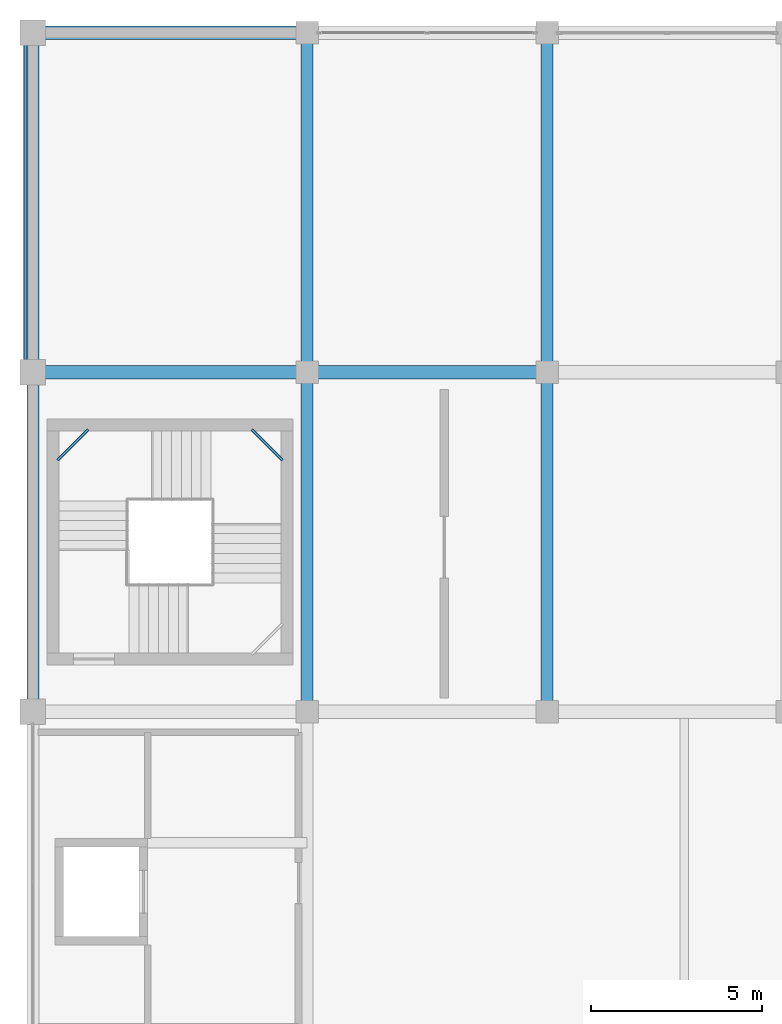
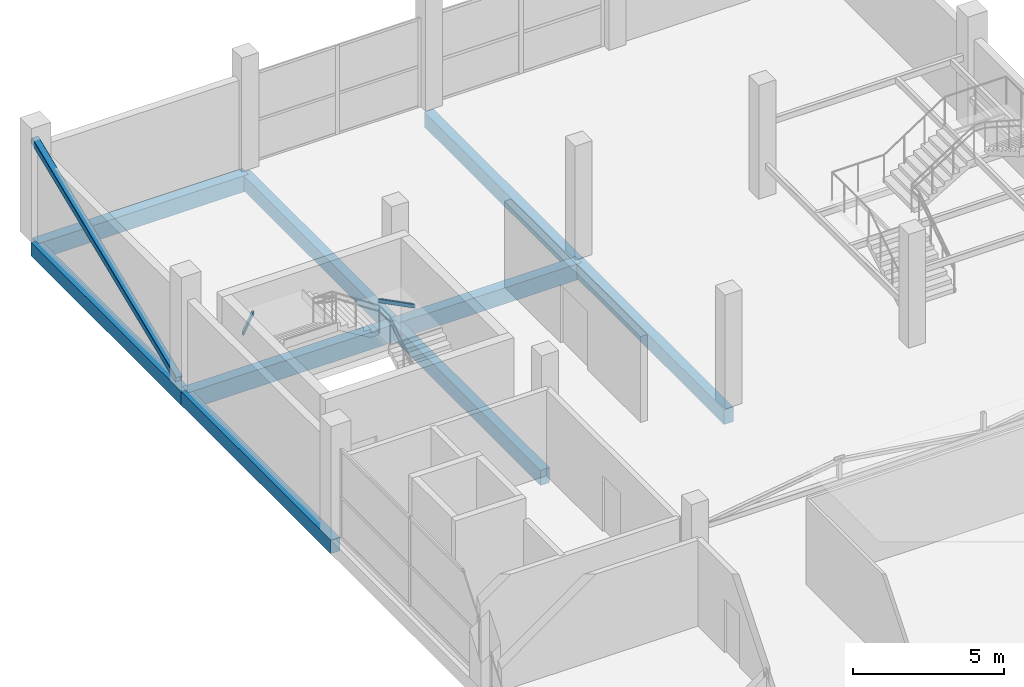
# One storey, part 43 of 69: 11 beams, 1 member.
"""IFC4 building model written with IfcOpenShell, lengths in metres."""

from ifc_helpers import new_model, si_unit, direction, frame, origin, origin_2d, place, context, subcontext, project, spatial, rectangle, hollow_rectangle, extrude, material, material_profile, profile_set, type_object, element, save


model = new_model("IFC4")

# Units and contexts
model_context = context("Model", 3, precision=1e-05, world=origin(), true_north=direction((0.0, 1.0)))
body_context = subcontext(model_context, "Body", "Model", "MODEL_VIEW")
ifc_project = project(units=[si_unit("LENGTHUNIT", "METRE"), si_unit("AREAUNIT", "SQUARE_METRE"), si_unit("VOLUMEUNIT", "CUBIC_METRE"), si_unit("PLANEANGLEUNIT", "RADIAN"), si_unit("MASSUNIT", "GRAM", prefix="KILO")], contexts=[model_context])

# Site, building, storey
site_placement = place(None, origin())
site = spatial("IfcSite", under=ifc_project, at=site_placement, CompositionType="ELEMENT")
building_placement = place(site_placement, origin())
building = spatial("IfcBuilding", under=site, at=building_placement, Name="Sillaruma Civic Art Gallery", CompositionType="ELEMENT")
storey_placement = place(building_placement, frame((0.0, 0.0, 42.330078125)))
storey = spatial("IfcBuildingStorey", under=building, at=storey_placement, Name="L08", CompositionType="ELEMENT", Elevation=42.330078125)

# Beams
ifc_material_1 = material(Name="Concrete H35 (35 MPa)", Category="concrete")
ifc_material_profile_1 = material_profile(ifc_material_1, rectangle(XDim=0.35009765625, YDim=0.60009765625, at=origin_2d()), Name="RCB350x600")
ifc_profile_set_1 = profile_set([ifc_material_profile_1], Name="Concrete H35 (35 MPa)")
beam_type_1 = type_object("IfcBeamType", Name="BM-BEAM-RCB350x600", PredefinedType="BEAM", material=ifc_profile_set_1)
beam_1_placement = place(storey_placement, frame((70.0, 79.199951171875, -0.580078125), z_axis=(0.0, 1.0, 0.0), x_axis=(-1.0, 0.0, 0.0)))
element("IfcBeam", 1, at=beam_1_placement, inside=storey, type_object=beam_type_1, Name="Beam BM-06 (L07:G:9-10)", PredefinedType="BEAM", context=body_context, shape_type="SweptSolid", body=[
    extrude(rectangle(XDim=0.35009765625, YDim=0.60009765625, at=origin_2d()), origin(), (0.0, 0.0, 1.0), 9.900146484375),
])
beam_2_placement = place(storey_placement, frame((70.0, 89.10009765625, -0.580078125), z_axis=(0.0, 1.0, 0.0), x_axis=(-1.0, 0.0, 0.0)))
element("IfcBeam", 2, at=beam_2_placement, inside=storey, type_object=beam_type_1, Name="Beam BM-06 (L07:G:10-11)", PredefinedType="BEAM", context=body_context, shape_type="SweptSolid", body=[
    extrude(rectangle(XDim=0.35009765625, YDim=0.60009765625, at=origin_2d()), origin(), (0.0, 0.0, 1.0), 9.89990234375),
])
beam_3_placement = place(storey_placement, frame((77.0, 79.199951171875, -0.580078125), z_axis=(0.0, 1.0, 0.0), x_axis=(-1.0, 0.0, 0.0)))
element("IfcBeam", 3, at=beam_3_placement, inside=storey, type_object=beam_type_1, Name="Beam BM-06 (L07:H:9-10)", PredefinedType="BEAM", context=body_context, shape_type="SweptSolid", body=[
    extrude(rectangle(XDim=0.35009765625, YDim=0.60009765625, at=origin_2d()), origin(), (0.0, 0.0, 1.0), 9.900146484375),
])
beam_4_placement = place(storey_placement, frame((77.0, 89.10009765625, -0.580078125), z_axis=(0.0, 1.0, 0.0), x_axis=(-1.0, 0.0, 0.0)))
element("IfcBeam", 4, at=beam_4_placement, inside=storey, type_object=beam_type_1, Name="Beam BM-06 (L07:H:10-11)", PredefinedType="BEAM", context=body_context, shape_type="SweptSolid", body=[
    extrude(rectangle(XDim=0.35009765625, YDim=0.60009765625, at=origin_2d()), origin(), (0.0, 0.0, 1.0), 9.89990234375),
])
ifc_material_profile_2 = material_profile(ifc_material_1, rectangle(XDim=0.39990234375, YDim=0.64990234375, at=origin_2d()), Name="RCB400x650")
ifc_profile_set_2 = profile_set([ifc_material_profile_2], Name="Concrete H35 (35 MPa)")
beam_type_2 = type_object("IfcBeamType", Name="BM-BEAM-RCB400x650", PredefinedType="BEAM", material=ifc_profile_set_2)
beam_5_placement = place(storey_placement, frame((70.0, 89.10009765625, -0.60498046875), z_axis=(1.0, 0.0, 0.0), x_axis=(0.0, 1.0, 0.0)))
element("IfcBeam", 5, at=beam_5_placement, inside=storey, type_object=beam_type_2, Name="Beam BM-05 (L07:10:G-H)", PredefinedType="BEAM", context=body_context, shape_type="SweptSolid", body=[
    extrude(rectangle(XDim=0.39990234375, YDim=0.64990234375, at=origin_2d()), origin(), (0.0, 0.0, 1.0), 7.0),
])
ifc_material_profile_3 = material_profile(ifc_material_1, rectangle(XDim=0.39990234375, YDim=0.699951171875, at=origin_2d()), Name="RCB400x700")
ifc_profile_set_3 = profile_set([ifc_material_profile_3], Name="Concrete H35 (35 MPa)")
beam_type_3 = type_object("IfcBeamType", Name="BM-BEAM-RCB400x700", PredefinedType="BEAM", material=ifc_profile_set_3)
beam_6_placement = place(storey_placement, frame((62.0, 89.10009765625, -0.630126953125), z_axis=(1.0, 0.0, 0.0), x_axis=(0.0, 1.0, 0.0)))
element("IfcBeam", 6, at=beam_6_placement, inside=storey, type_object=beam_type_3, Name="Beam BM-04 (L07:10:F-G)", PredefinedType="BEAM", context=body_context, shape_type="SweptSolid", body=[
    extrude(rectangle(XDim=0.39990234375, YDim=0.699951171875, at=origin_2d()), origin(), (0.0, 0.0, 1.0), 8.0),
])
ifc_material_2 = material(Name="Structural Steel ASTM A500 Gr.C", Category="steel")
ifc_material_profile_4 = material_profile(ifc_material_2, hollow_rectangle(XDim=0.080078125, YDim=0.159912109375, WallThickness=0.008056640625, InnerFilletRadius=0.008056640625, OuterFilletRadius=0.01611328125, at=origin_2d()), Name="HSS160x80x8")
ifc_profile_set_4 = profile_set([ifc_material_profile_4], Name="Structural Steel ASTM A500 Gr.C")
beam_type_4 = type_object("IfcBeamType", Name="BM-LND-HSS160", PredefinedType="BEAM", material=ifc_profile_set_4)
for number, where, z_axis, x_axis, name in (
    (7, (68.389892578125, 87.429931640625, 2.099853515625), (0.707203758046, -0.707009791025, 0.0), (0.707009791025, 0.707203758046, 0.0), "Stair Corner Landing Trimmer Beam (ST-02-L08-2)"),
    (8, (62.719970703125, 86.5400390625, 3.2900390625), (0.707203758046, 0.707009791025, 0.0), (-0.707009791025, 0.707203758046, 0.0), "Stair Corner Landing Trimmer Beam (ST-02-L08-3)"),
):
    element("IfcBeam", number, at=place(storey_placement, frame(where, z_axis=z_axis, x_axis=x_axis)), inside=storey, type_object=beam_type_4, Name=name, PredefinedType="BEAM", context=body_context, shape_type="SweptSolid", body=[
        extrude(hollow_rectangle(XDim=0.080078125, YDim=0.159912109375, WallThickness=0.008056640625, InnerFilletRadius=0.008056640625, OuterFilletRadius=0.01611328125, at=origin_2d()), origin(), (0.0, 0.0, 1.0), 1.2587890625),
    ])
ifc_material_profile_5 = material_profile(ifc_material_1, rectangle(XDim=0.35009765625, YDim=0.550048828125, at=origin_2d()), Name="RCB350x550")
ifc_profile_set_5 = profile_set([ifc_material_profile_5], Name="Concrete H35 (35 MPa)")
beam_type_5 = type_object("IfcBeamType", Name="BM-SPANDREL-RCB350x550", PredefinedType="SPANDREL", material=ifc_profile_set_5)
beam_7_placement = place(storey_placement, frame((62.0, 79.199951171875, -0.55517578125), z_axis=(0.0, 1.0, 0.0), x_axis=(-1.0, 0.0, 0.0)))
element("IfcBeam", 9, at=beam_7_placement, inside=storey, type_object=beam_type_5, Name="Beam BS-04 (L07:F:9-10)", PredefinedType="SPANDREL", context=body_context, shape_type="SweptSolid", body=[
    extrude(rectangle(XDim=0.35009765625, YDim=0.550048828125, at=origin_2d()), origin(), (0.0, 0.0, 1.0), 9.900146484375),
])
beam_8_placement = place(storey_placement, frame((62.0, 89.10009765625, -0.55517578125), z_axis=(0.0, 1.0, 0.0), x_axis=(-1.0, 0.0, 0.0)))
element("IfcBeam", 10, at=beam_8_placement, inside=storey, type_object=beam_type_5, Name="Beam BS-04 (L07:F:10-11)", PredefinedType="SPANDREL", context=body_context, shape_type="SweptSolid", body=[
    extrude(rectangle(XDim=0.35009765625, YDim=0.550048828125, at=origin_2d()), origin(), (0.0, 0.0, 1.0), 9.89990234375),
])
ifc_material_profile_6 = material_profile(ifc_material_1, rectangle(XDim=0.39990234375, YDim=0.64990234375, at=origin_2d()), Name="RCB400x650")
ifc_profile_set_6 = profile_set([ifc_material_profile_6], Name="Concrete H35 (35 MPa)")
beam_type_6 = type_object("IfcBeamType", Name="BM-SPANDREL-RCB400x650", PredefinedType="SPANDREL", material=ifc_profile_set_6)
beam_9_placement = place(storey_placement, frame((62.0, 99.0, -0.60498046875), z_axis=(1.0, 0.0, 0.0), x_axis=(0.0, 1.0, 0.0)))
element("IfcBeam", 11, at=beam_9_placement, inside=storey, type_object=beam_type_6, Name="Beam BS-02 (L07:11:F-G)", PredefinedType="SPANDREL", context=body_context, shape_type="SweptSolid", body=[
    extrude(rectangle(XDim=0.39990234375, YDim=0.64990234375, at=origin_2d()), origin(), (0.0, 0.0, 1.0), 8.0),
])

# Member
ifc_material_profile_7 = material_profile(ifc_material_2, hollow_rectangle(XDim=0.25, YDim=0.25, WallThickness=0.012451171875, InnerFilletRadius=0.012451171875, OuterFilletRadius=0.02490234375, at=origin_2d()), Name="HSS250x250x12.5")
ifc_profile_set_7 = profile_set([ifc_material_profile_7], Name="Structural Steel ASTM A500 Gr.C")
member_type = type_object("IfcMemberType", Name="MEM-MEGA-BRACE", PredefinedType="BRACE", material=ifc_profile_set_7)
member_placement = place(storey_placement, frame((61.85009765625, 89.280029296875, 0.099853515625), z_axis=(0.0, 0.925975169428, 0.37758440858), x_axis=(-1.0, 0.0, 0.0)))
element("IfcMember", 12, at=member_placement, inside=storey, type_object=member_type, Name="Exterior Expressed Gallery Seismic Diagonal Brace (L08-WN)", PredefinedType="BRACE", context=body_context, shape_type="SweptSolid", body=[
    extrude(hollow_rectangle(XDim=0.25, YDim=0.25, WallThickness=0.012451171875, InnerFilletRadius=0.012451171875, OuterFilletRadius=0.02490234375, at=origin_2d()), origin(), (0.0, 0.0, 1.0), 10.302734375),
])

save(model, "model.ifc")
